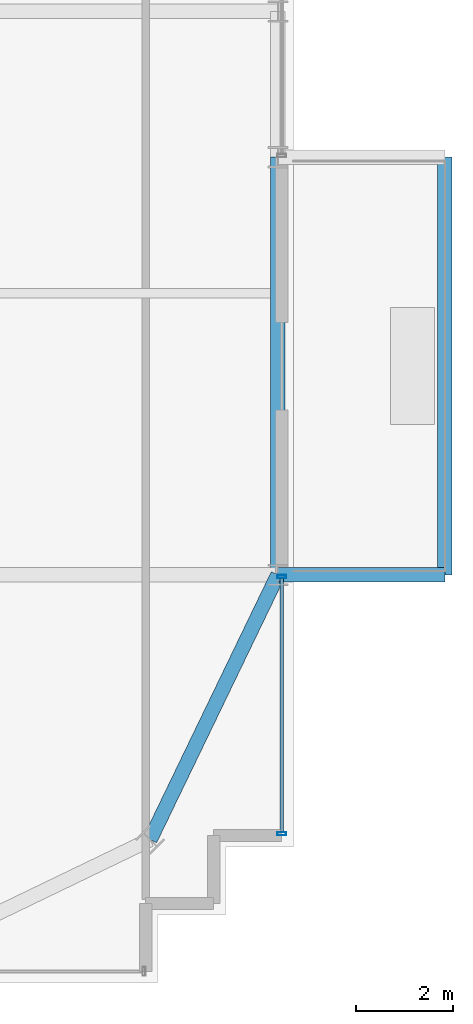
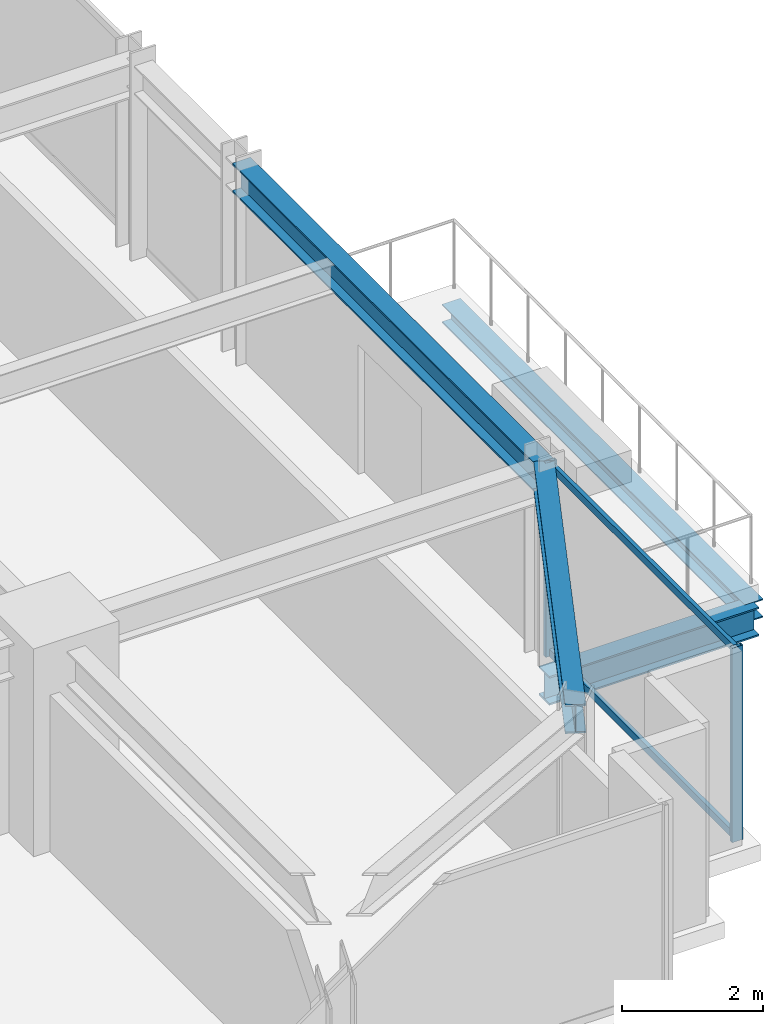
# One storey, part 15 of 35: 4 beams, 4 members, 1 element without a shape of its own.
"""IFC4 building model written with IfcOpenShell, lengths in metres."""

from ifc_helpers import new_model, si_unit, direction, frame, origin, origin_2d, place, context, subcontext, project, spatial, hollow_rectangle, i_section, extrude, source, transform, mapped, material, material_profile, profile_set, type_object, element, aggregate, save


model = new_model("IFC4")

# Units and contexts
model_context = context("Model", 3, precision=1e-05, world=origin(), true_north=direction((0.0, 1.0)))
body_context = subcontext(model_context, "Body", "Model", "MODEL_VIEW")
ifc_project = project(units=[si_unit("LENGTHUNIT", "METRE"), si_unit("AREAUNIT", "SQUARE_METRE"), si_unit("VOLUMEUNIT", "CUBIC_METRE"), si_unit("PLANEANGLEUNIT", "RADIAN"), si_unit("MASSUNIT", "GRAM", prefix="KILO")], contexts=[model_context])

# Site, building, storey
site_placement = place(None, origin())
site = spatial("IfcSite", under=ifc_project, at=site_placement, CompositionType="ELEMENT")
building_placement = place(site_placement, origin())
building = spatial("IfcBuilding", under=site, at=building_placement, Name="Nahalor Promenade Grand Hotel", CompositionType="ELEMENT")
storey_placement = place(building_placement, frame((0.0, 0.0, 39.699951171875)))
storey = spatial("IfcBuildingStorey", under=building, at=storey_placement, Name="L08", CompositionType="ELEMENT", Elevation=39.699951171875)

# Beams
ifc_material_1 = material(Name="Steel S355JR", Category="steel")
ifc_material_profile_1 = material_profile(ifc_material_1, i_section(OverallWidth=0.3, OverallDepth=0.32, WebThickness=0.0115, FlangeThickness=0.0205, at=origin_2d()), Name="HEB 320")
ifc_profile_set_1 = profile_set([ifc_material_profile_1], Name="Steel S355JR")
beam_type_1 = type_object("IfcBeamType", Name="Beam-BalcEdge-HEB320", PredefinedType="SPANDREL", material=ifc_profile_set_1)
shared_shape_1 = source(origin(), body_context, "Body", "SweptSolid", [
    extrude(i_section(OverallWidth=0.3, OverallDepth=0.32, WebThickness=0.0115, FlangeThickness=0.0205, at=origin_2d()), origin(), (0.0, 0.0, 1.0), 8.60009765625),
])
beam_1_placement = place(storey_placement, frame((28.52001953125, -17.0, -0.43994140625), z_axis=(0.0, 1.0, 0.0), x_axis=(-1.0, 0.0, 0.0)))
element("IfcBeam", 1, at=beam_1_placement, inside=storey, type_object=beam_type_1, Name="BM-L08-BC-02-F", PredefinedType="SPANDREL", context=body_context, shape_type="MappedRepresentation", body=[
    mapped(shared_shape_1, transform((0.0, 0.0, 0.0), scale=1.0)),
])
ifc_material_profile_2 = material_profile(ifc_material_1, i_section(OverallWidth=0.3, OverallDepth=0.5, WebThickness=0.0145, FlangeThickness=0.028, at=origin_2d()), Name="HEB 500")
ifc_profile_set_2 = profile_set([ifc_material_profile_2], Name="Steel S355JR")
beam_type_2 = type_object("IfcBeamType", Name="Beam-Outrigger-HEB500", PredefinedType="BEAM", material=ifc_profile_set_2)
shared_shape_2 = source(origin(), body_context, "Body", "SweptSolid", [
    extrude(i_section(OverallWidth=0.3, OverallDepth=0.5, WebThickness=0.0145, FlangeThickness=0.028, at=origin_2d()), origin(), (0.0, 0.0, 1.0), 3.43994140625),
])
beam_2_placement = place(storey_placement, frame((25.080078125, -17.0, -0.530029296875), z_axis=(1.0, 0.0, 0.0), x_axis=(0.0, 1.0, 0.0)))
element("IfcBeam", 2, at=beam_2_placement, inside=storey, type_object=beam_type_2, Name="BM-L08-BC-02-1", PredefinedType="BEAM", context=body_context, shape_type="MappedRepresentation", body=[
    mapped(shared_shape_2, transform((0.0, 0.0, 0.0), scale=1.0)),
])
ifc_material_profile_3 = material_profile(ifc_material_1, i_section(OverallWidth=0.3, OverallDepth=0.5, WebThickness=0.0145, FlangeThickness=0.028, at=origin_2d()), Name="HEB 500")
ifc_profile_set_3 = profile_set([ifc_material_profile_3], Name="Steel S355JR")
beam_type_3 = type_object("IfcBeamType", Name="Beam-Spandrel-HEB500", PredefinedType="SPANDREL", material=ifc_profile_set_3)
shared_shape_3 = source(origin(), body_context, "Body", "SweptSolid", [
    extrude(i_section(OverallWidth=0.3, OverallDepth=0.5, WebThickness=0.0145, FlangeThickness=0.028, at=origin_2d()), origin(), (0.0, 0.0, 1.0), 8.60009765625),
])
beam_3_placement = place(storey_placement, frame((25.080078125, -17.0, 3.1201171875), z_axis=(0.0, 1.0, 0.0), x_axis=(-1.0, 0.0, 0.0)))
element("IfcBeam", 3, at=beam_3_placement, inside=storey, type_object=beam_type_3, Name="BM-L08-SP-E-0", PredefinedType="SPANDREL", context=body_context, shape_type="MappedRepresentation", body=[
    mapped(shared_shape_3, transform((0.0, 0.0, 0.0), scale=1.0)),
])
shared_shape_4 = source(origin(), body_context, "Body", "SweptSolid", [
    extrude(i_section(OverallWidth=0.3, OverallDepth=0.5, WebThickness=0.0145, FlangeThickness=0.028, at=origin_2d()), origin(), (0.0, 0.0, 1.0), 6.051513671875),
])
beam_4_placement = place(storey_placement, frame((22.449951171875, -22.449951171875, 3.1201171875), z_axis=(0.434630596492, 0.900608818852, 0.0), x_axis=(-0.900608818852, 0.434630596492, 0.0)))
element("IfcBeam", 4, at=beam_4_placement, inside=storey, type_object=beam_type_3, Name="BM-L08-SPC-SE-2", PredefinedType="SPANDREL", context=body_context, shape_type="MappedRepresentation", body=[
    mapped(shared_shape_4, transform((0.0, 0.0, 0.0), scale=1.0)),
])

# Curtain wall, members
ifc_material_2 = material(Name="Anodised Bronze Aluminium EN AW-6063 T6", Category="aluminium")
curtain_wall_type = type_object("IfcCurtainWallType", Name="CW2 Typical Hotel Flush Bronze Unitised Curtain Wall", PredefinedType="USERDEFINED", material=ifc_material_2)
curtain_wall_placement = place(storey_placement, origin())
curtain_wall = element("IfcCurtainWall", 5, at=curtain_wall_placement, inside=storey, type_object=curtain_wall_type, Name="L08 Curtain Wall CW-L08-E-1", ObjectType="UNITISED_CURTAIN_WALL", PredefinedType="USERDEFINED")
ifc_material_profile_4 = material_profile(ifc_material_2, hollow_rectangle(XDim=0.065, YDim=0.18, WallThickness=0.004, at=origin_2d()), Name="CWM 65x180x4")
ifc_profile_set_4 = profile_set([ifc_material_profile_4], Name="Anodised Bronze Aluminium EN AW-6063 T6")
member_type_1 = type_object("IfcMemberType", Name="CWM2 Typical Bronze Mullion 65x180", PredefinedType="MULLION", material=ifc_profile_set_4)
shared_shape_5 = source(origin(), body_context, "Body", "SweptSolid", [
    extrude(hollow_rectangle(XDim=0.065, YDim=0.18, WallThickness=0.004, at=origin_2d()), origin(), (0.0, 0.0, 1.0), 3.3701171875),
])
member_1_placement = place(storey_placement, frame((25.159912109375, -22.327392578125, 0.0), z_axis=(0.0, 0.0, 1.0), x_axis=(0.0, 1.0, 0.0)))
member_1 = element("IfcMember", 6, at=member_1_placement, type_object=member_type_1, Name="CW-L08-E-1 Mullion 0", PredefinedType="MULLION", context=body_context, shape_type="MappedRepresentation", body=[
    mapped(shared_shape_5, transform((0.0, 0.0, 0.0), scale=1.0)),
])
member_2_placement = place(storey_placement, frame((25.159912109375, -17.032470703125, 0.0), z_axis=(0.0, 0.0, 1.0), x_axis=(0.0, 1.0, 0.0)))
member_2 = element("IfcMember", 7, at=member_2_placement, type_object=member_type_1, Name="CW-L08-E-1 Mullion 1", PredefinedType="MULLION", context=body_context, shape_type="MappedRepresentation", body=[
    mapped(shared_shape_5, transform((0.0, 0.0, 0.0), scale=1.0)),
])
ifc_material_profile_5 = material_profile(ifc_material_2, hollow_rectangle(XDim=0.065, YDim=0.13, WallThickness=0.004, at=origin_2d()), Name="CWT 65x130x4")
ifc_profile_set_5 = profile_set([ifc_material_profile_5], Name="Anodised Bronze Aluminium EN AW-6063 T6")
member_type_2 = type_object("IfcMemberType", Name="CWT2 Typical Bronze Transom 65x130", PredefinedType="USERDEFINED", material=ifc_profile_set_5)
shared_shape_6 = source(origin(), body_context, "Body", "SweptSolid", [
    extrude(hollow_rectangle(XDim=0.065, YDim=0.13, WallThickness=0.004, at=origin_2d()), origin(), (0.0, 0.0, 1.0), 5.22998046875),
])
member_3_placement = place(storey_placement, frame((25.159912109375, -22.294921875, 0.06494140625), z_axis=(0.0, 1.0, 0.0), x_axis=(-1.0, 0.0, 0.0)))
member_3 = element("IfcMember", 8, at=member_3_placement, type_object=member_type_2, Name="CW-L08-E-1 Transom 0-0", ObjectType="TRANSOM", PredefinedType="USERDEFINED", context=body_context, shape_type="MappedRepresentation", body=[
    mapped(shared_shape_6, transform((0.0, 0.0, 0.0), scale=1.0)),
])
member_4_placement = place(storey_placement, frame((25.159912109375, -22.294921875, 3.304931640625), z_axis=(0.0, 1.0, 0.0), x_axis=(-1.0, 0.0, 0.0)))
member_4 = element("IfcMember", 9, at=member_4_placement, type_object=member_type_2, Name="CW-L08-E-1 Transom 0-1", ObjectType="TRANSOM", PredefinedType="USERDEFINED", context=body_context, shape_type="MappedRepresentation", body=[
    mapped(shared_shape_6, transform((0.0, 0.0, 0.0), scale=1.0)),
])
aggregate(curtain_wall, [member_1, member_2, member_3, member_4])

save(model, "model.ifc")
